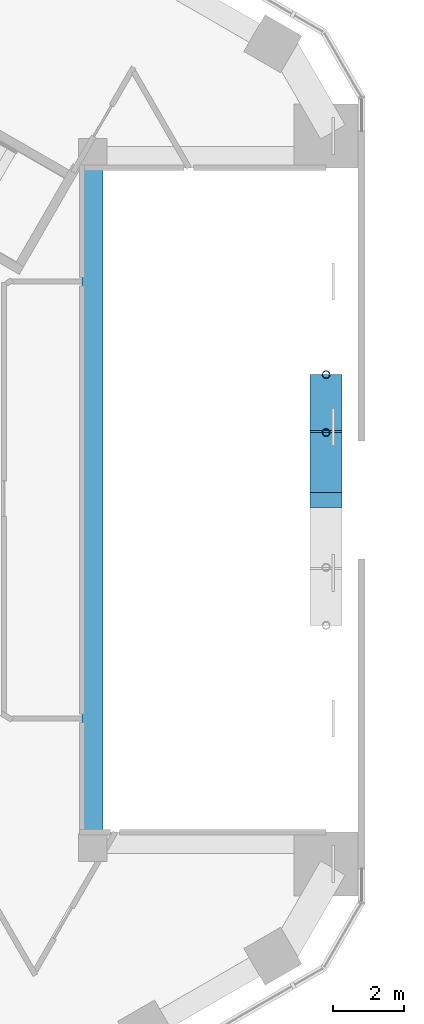
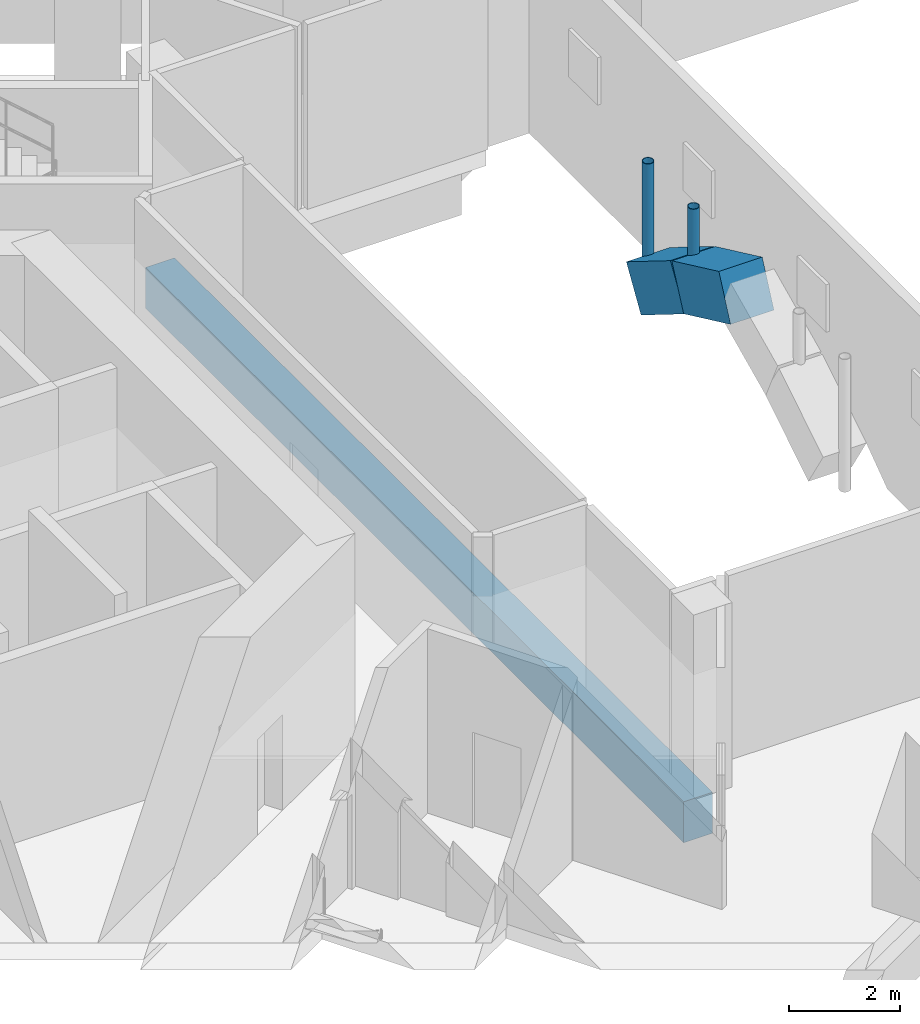
# One storey, part 5 of 14: 3 beams, 2 members.
"""IFC4 building model written with IfcOpenShell, lengths in metres."""

from ifc_helpers import new_model, si_unit, direction, frame, origin, origin_2d, place, context, subcontext, project, spatial, rectangle, hollow_circle, extrude, material, material_profile, profile_set, type_object, element, save


model = new_model("IFC4")

# Units and contexts
model_context = context("Model", 3, precision=1e-05, world=origin(), true_north=direction((0.0, 1.0)))
body_context = subcontext(model_context, "Body", "Model", "MODEL_VIEW")
ifc_project = project(units=[si_unit("LENGTHUNIT", "METRE"), si_unit("AREAUNIT", "SQUARE_METRE"), si_unit("VOLUMEUNIT", "CUBIC_METRE"), si_unit("PLANEANGLEUNIT", "RADIAN"), si_unit("MASSUNIT", "GRAM", prefix="KILO")], contexts=[model_context])

# Site, building, storey
site_placement = place(None, origin())
site = spatial("IfcSite", under=ifc_project, at=site_placement, CompositionType="ELEMENT")
building_placement = place(site_placement, origin())
building = spatial("IfcBuilding", under=site, at=building_placement, Name="Ayvan Gate Tower", CompositionType="ELEMENT")
storey_placement = place(building_placement, frame((0.0, 0.0, 16.0)))
storey = spatial("IfcBuildingStorey", under=building, at=storey_placement, Name="L03", CompositionType="ELEMENT", Elevation=16.0)

# Beams
ifc_material_1 = material(Name="Concrete C60/75", Category="concrete")
ifc_material_profile_1 = material_profile(ifc_material_1, rectangle(XDim=0.89990234375, YDim=1.0, at=origin_2d()), Name="RC 900x1000")
ifc_profile_set_1 = profile_set([ifc_material_profile_1], Name="Concrete C60/75")
beam_type_1 = type_object("IfcBeamType", Name="Arch rib RC 900x1000 C60/75", PredefinedType="BEAM", material=ifc_profile_set_1)
for number, where, z_axis, x_axis, name in (
    (1, (20.78466796875, 0.0, 2.53955078125), (0.0, 0.905627110622, -0.424074918506), (-1.0, 0.0, 0.0), "AR-0-11"),
    (2, (20.78466796875, 1.688720703125, 1.748779296875), (0.0, 0.848813766161, -0.528691961709), (-1.0, 0.0, 0.0), "AR-0-12"),
):
    element("IfcBeam", number, at=place(storey_placement, frame(where, z_axis=z_axis, x_axis=x_axis)), inside=storey, type_object=beam_type_1, Name=name, PredefinedType="BEAM", context=body_context, shape_type="SweptSolid", body=[
        extrude(rectangle(XDim=0.89990234375, YDim=1.0, at=origin_2d()), origin(), (0.0, 0.0, 1.0), 1.86474609375),
    ])

# Members
ifc_material_2 = material(Name="Steel S460NH", Category="steel")
ifc_material_profile_2 = material_profile(ifc_material_2, hollow_circle(Radius=0.109619140625, WallThickness=0.012451171875, at=origin_2d()), Name="CHS 219.1x12.5")
ifc_profile_set_2 = profile_set([ifc_material_profile_2], Name="Steel S460NH")
member_type = type_object("IfcMemberType", Name="Arch rib hanger CHS 219.1x12.5", PredefinedType="STRUT", material=ifc_profile_set_2)
member_1_placement = place(storey_placement, frame((20.78466796875, 1.90087890625, 1.2958984375), z_axis=(0.0, 0.0, 1.0), x_axis=(1.0, 0.0, 0.0)))
element("IfcMember", 3, at=member_1_placement, inside=storey, type_object=member_type, Name="ARH-0-11", PredefinedType="STRUT", context=body_context, shape_type="SweptSolid", body=[
    extrude(hollow_circle(Radius=0.109619140625, WallThickness=0.012451171875, at=origin_2d()), origin(), (0.0, 0.0, 1.0), 1.9541015625),
])
member_2_placement = place(storey_placement, frame((20.78466796875, 3.535888671875, 0.33837890625), z_axis=(0.0, 0.0, 1.0), x_axis=(1.0, 0.0, 0.0)))
element("IfcMember", 4, at=member_2_placement, inside=storey, type_object=member_type, Name="ARH-0-12", PredefinedType="STRUT", context=body_context, shape_type="SweptSolid", body=[
    extrude(hollow_circle(Radius=0.109619140625, WallThickness=0.012451171875, at=origin_2d()), origin(), (0.0, 0.0, 1.0), 2.91162109375),
])

# Beam
ifc_material_3 = material(Name="Concrete C40/50", Category="concrete")
ifc_material_profile_3 = material_profile(ifc_material_3, rectangle(XDim=0.60009765625, YDim=0.89990234375, at=origin_2d()), Name="RC 600x900")
ifc_profile_set_3 = profile_set([ifc_material_profile_3], Name="Concrete C40/50")
beam_type_2 = type_object("IfcBeamType", Name="Opening edge beam RC 600x900 C40/50", PredefinedType="BEAM", material=ifc_profile_set_3)
beam_placement = place(storey_placement, frame((14.199951171875, -9.66796875, -0.85009765625), z_axis=(0.0, 1.0, 0.0), x_axis=(-1.0, 0.0, 0.0)))
element("IfcBeam", 5, at=beam_placement, inside=storey, type_object=beam_type_2, Name="OB-L03-0-C", PredefinedType="BEAM", context=body_context, shape_type="SweptSolid", body=[
    extrude(rectangle(XDim=0.60009765625, YDim=0.89990234375, at=origin_2d()), origin(), (0.0, 0.0, 1.0), 19.3359375),
])

save(model, "model.ifc")
